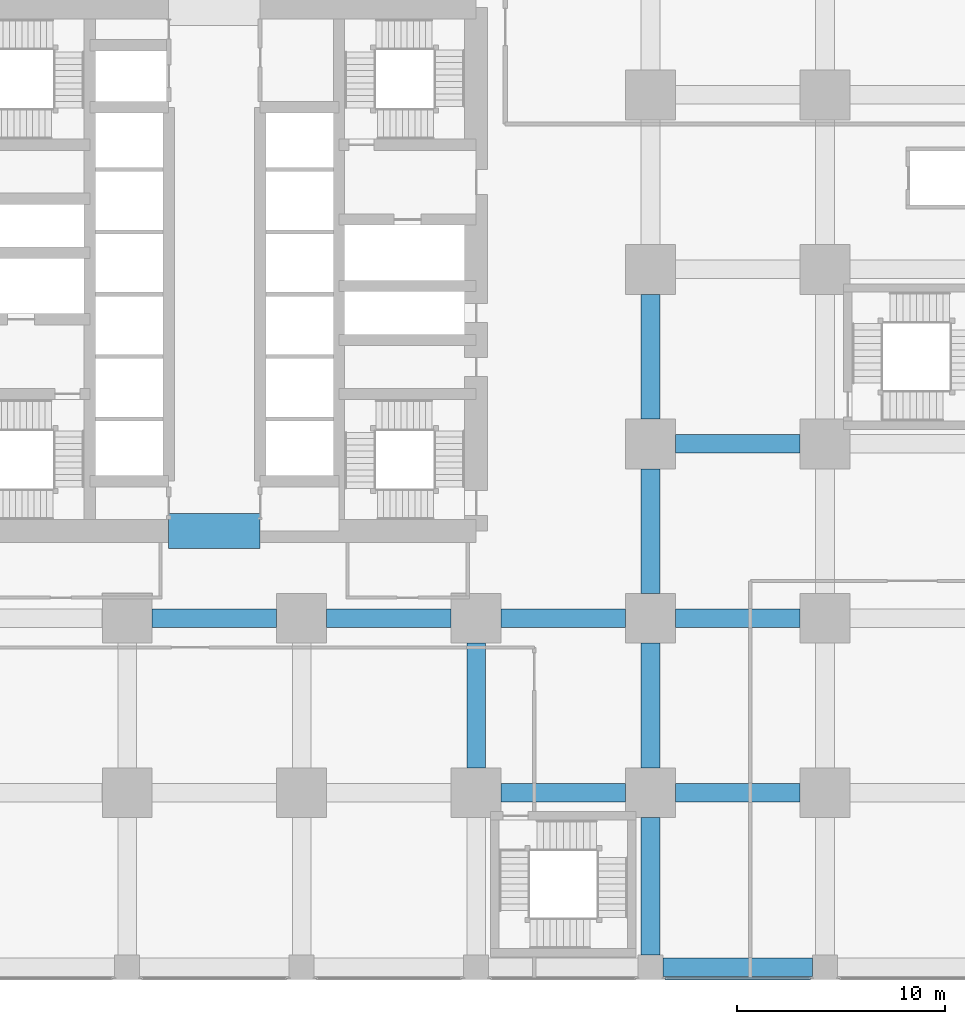
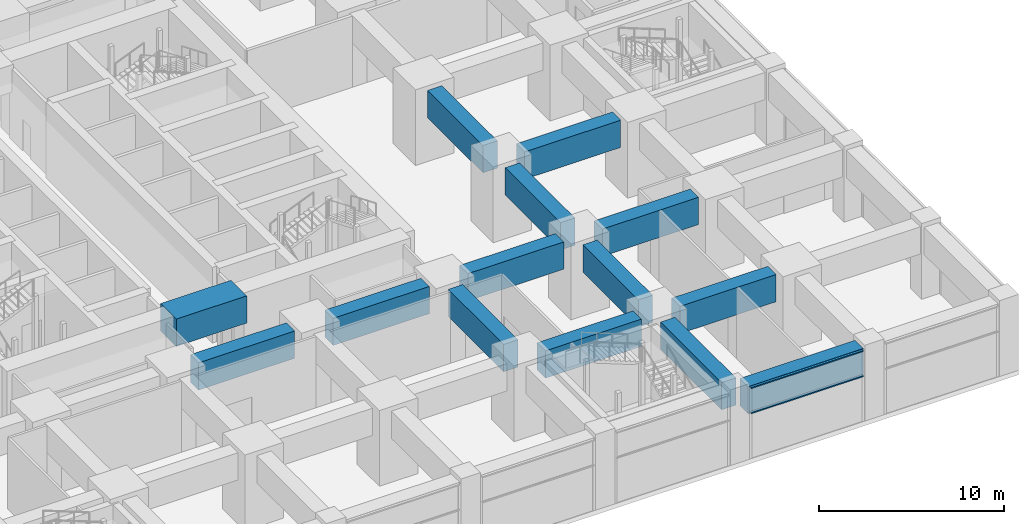
# One storey, part 16 of 48: 14 beams, 2 members, 1 element without a shape of its own.
"""IFC4 building model written with IfcOpenShell, lengths in metres."""

from ifc_helpers import new_model, si_unit, direction, frame, origin, origin_2d, place, context, subcontext, project, spatial, rectangle, hollow_rectangle, extrude, material, material_profile, profile_set, type_object, element, aggregate, save


model = new_model("IFC4")

# Units and contexts
model_context = context("Model", 3, precision=1e-05, world=origin(), true_north=direction((0.0, 1.0)))
body_context = subcontext(model_context, "Body", "Model", "MODEL_VIEW")
ifc_project = project(units=[si_unit("LENGTHUNIT", "METRE"), si_unit("AREAUNIT", "SQUARE_METRE"), si_unit("VOLUMEUNIT", "CUBIC_METRE"), si_unit("PLANEANGLEUNIT", "RADIAN"), si_unit("MASSUNIT", "GRAM", prefix="KILO")], contexts=[model_context])

# Site, building, storey
site_placement = place(None, origin())
site = spatial("IfcSite", under=ifc_project, at=site_placement, CompositionType="ELEMENT")
building_placement = place(site_placement, origin())
building = spatial("IfcBuilding", under=site, at=building_placement, Name="Rekha Terrace Tower", CompositionType="ELEMENT")
storey_placement = place(building_placement, frame((0.0, 0.0, 15.39990234375)))
storey = spatial("IfcBuildingStorey", under=building, at=storey_placement, Name="L03", CompositionType="ELEMENT", Elevation=15.39990234375)

# Curtain wall, members
ifc_material_1 = material(Name="Aluminium framing", Category="aluminium")
curtain_wall_type = type_object("IfcCurtainWallType", Name="CW4 podium shopfront glazing", PredefinedType="USERDEFINED", material=ifc_material_1)
curtain_wall_placement = place(storey_placement, origin())
curtain_wall = element("IfcCurtainWall", 1, at=curtain_wall_placement, inside=storey, type_object=curtain_wall_type, Name="CW4 shopfront curtain wall", ObjectType="SHOPFRONT CURTAIN WALL", PredefinedType="USERDEFINED")
ifc_material_2 = material(Name="Aluminium transom section", Category="aluminium")
ifc_material_profile_1 = material_profile(ifc_material_2, hollow_rectangle(XDim=0.14990234375, YDim=0.074951171875, WallThickness=0.0029296875, at=origin_2d()), Name="AL RHS 150x75")
ifc_profile_set_1 = profile_set([ifc_material_profile_1], Name="Aluminium transom section")
member_type = type_object("IfcMemberType", Name="CW4 transom RHS 75 x 150", PredefinedType="USERDEFINED", material=ifc_profile_set_1)
member_1_placement = place(storey_placement, frame((59.4951171875, -0.5400390625, 3.0), z_axis=(1.0, 0.0, 0.0), x_axis=(0.0, 1.0, 0.0)))
member_1 = element("IfcMember", 2, at=member_1_placement, type_object=member_type, Name="CW4 transom 1.2", ObjectType="TRANSOM", PredefinedType="USERDEFINED", context=body_context, shape_type="SweptSolid", body=[
    extrude(hollow_rectangle(XDim=0.14990234375, YDim=0.074951171875, WallThickness=0.0029296875, at=origin_2d()), origin(), (0.0, 0.0, 1.0), 7.009765625),
])
member_2_placement = place(storey_placement, frame((59.4951171875, -0.5400390625, 4.66259765625), z_axis=(1.0, 0.0, 0.0), x_axis=(0.0, 1.0, 0.0)))
member_2 = element("IfcMember", 3, at=member_2_placement, type_object=member_type, Name="CW4 transom 1.3", ObjectType="TRANSOM", PredefinedType="USERDEFINED", context=body_context, shape_type="SweptSolid", body=[
    extrude(hollow_rectangle(XDim=0.14990234375, YDim=0.074951171875, WallThickness=0.0029296875, at=origin_2d()), origin(), (0.0, 0.0, 1.0), 7.009765625),
])
aggregate(curtain_wall, [member_1, member_2])

# Beams
ifc_material_3 = material(Name="Concrete M60", Category="concrete")
ifc_material_profile_2 = material_profile(ifc_material_3, rectangle(XDim=0.89990234375, YDim=1.800048828125, at=origin_2d()), Name="RC 900x1800")
ifc_profile_set_2 = profile_set([ifc_material_profile_2], Name="Concrete M60")
beam_type_1 = type_object("IfcBeamType", Name="G1 900x1800 podium floor beam", PredefinedType="BEAM", material=ifc_profile_set_2)
for number, where, z_axis, x_axis, name in (
    (4, (34.800048828125, 16.800048828125, 3.800048828125), (1.0, 0.0, 0.0), (0.0, 1.0, 0.0), "Beam G1 5C-6C under L04"),
    (5, (43.199951171875, 16.800048828125, 3.800048828125), (1.0, 0.0, 0.0), (0.0, 1.0, 0.0), "Beam G1 6C-7C under L04"),
    (6, (51.60009765625, 8.39990234375, 3.800048828125), (1.0, 0.0, 0.0), (0.0, 1.0, 0.0), "Beam G1 7B-8B under L04"),
    (7, (50.39990234375, 9.60009765625, 3.800048828125), (0.0, 1.0, 0.0), (-1.0, 0.0, 0.0), "Beam G1 7B-7C under L04"),
    (8, (51.60009765625, 16.800048828125, 3.800048828125), (1.0, 0.0, 0.0), (0.0, 1.0, 0.0), "Beam G1 7C-8C under L04"),
):
    element("IfcBeam", number, at=place(storey_placement, frame(where, z_axis=z_axis, x_axis=x_axis)), inside=storey, type_object=beam_type_1, Name=name, PredefinedType="BEAM", context=body_context, shape_type="SweptSolid", body=[
        extrude(rectangle(XDim=0.89990234375, YDim=1.800048828125, at=origin_2d()), origin(), (0.0, 0.0, 1.0), 6.0),
    ])
beam_1_placement = place(storey_placement, frame((59.39990234375, 0.0, 3.800048828125), z_axis=(1.0, 0.0, 0.0), x_axis=(0.0, 1.0, 0.0)))
element("IfcBeam", 9, at=beam_1_placement, inside=storey, type_object=beam_type_1, Name="Beam G1 8A-9A under L04", PredefinedType="BEAM", context=body_context, shape_type="SweptSolid", body=[
    extrude(rectangle(XDim=0.89990234375, YDim=1.800048828125, at=origin_2d()), origin(), (0.0, 0.0, 1.0), 7.2001953125),
])
beam_2_placement = place(storey_placement, frame((58.800048828125, 0.60009765625, 3.800048828125), z_axis=(0.0, 1.0, 0.0), x_axis=(-1.0, 0.0, 0.0)))
element("IfcBeam", 10, at=beam_2_placement, inside=storey, type_object=beam_type_1, Name="Beam G1 8A-8B under L04", PredefinedType="BEAM", context=body_context, shape_type="SweptSolid", body=[
    extrude(rectangle(XDim=0.89990234375, YDim=1.800048828125, at=origin_2d()), origin(), (0.0, 0.0, 1.0), 6.599853515625),
])
for number, where, z_axis, x_axis, name in (
    (11, (60.0, 8.39990234375, 3.800048828125), (1.0, 0.0, 0.0), (0.0, 1.0, 0.0), "Beam G1 8B-9B under L04"),
    (12, (58.800048828125, 9.60009765625, 3.800048828125), (0.0, 1.0, 0.0), (-1.0, 0.0, 0.0), "Beam G1 8B-8C under L04"),
    (13, (60.0, 16.800048828125, 3.800048828125), (1.0, 0.0, 0.0), (0.0, 1.0, 0.0), "Beam G1 8C-9C under L04"),
    (14, (58.800048828125, 18.0, 3.800048828125), (0.0, 1.0, 0.0), (-1.0, 0.0, 0.0), "Beam G1 8C-8D under L04"),
    (15, (60.0, 25.199951171875, 3.800048828125), (1.0, 0.0, 0.0), (0.0, 1.0, 0.0), "Beam G1 8D-9D under L04"),
    (16, (58.800048828125, 26.39990234375, 3.800048828125), (0.0, 1.0, 0.0), (-1.0, 0.0, 0.0), "Beam G1 8D-8E under L04"),
):
    element("IfcBeam", number, at=place(storey_placement, frame(where, z_axis=z_axis, x_axis=x_axis)), inside=storey, type_object=beam_type_1, Name=name, PredefinedType="BEAM", context=body_context, shape_type="SweptSolid", body=[
        extrude(rectangle(XDim=0.89990234375, YDim=1.800048828125, at=origin_2d()), origin(), (0.0, 0.0, 1.0), 6.0),
    ])
ifc_material_4 = material(Name="Concrete M70", Category="concrete")
ifc_material_profile_3 = material_profile(ifc_material_4, rectangle(XDim=1.699951171875, YDim=1.800048828125, at=origin_2d()), Name="RC 1700x1800")
ifc_profile_set_3 = profile_set([ifc_material_profile_3], Name="Concrete M70")
beam_type_2 = type_object("IfcBeamType", Name="LB1B 1700x1800 diagonally reinforced coupling beam", PredefinedType="LINTEL", material=ifc_profile_set_3)
beam_3_placement = place(storey_placement, frame((35.60009765625, 21.0, 4.10009765625), z_axis=(1.0, 0.0, 0.0), x_axis=(0.0, 1.0, 0.0)))
element("IfcBeam", 17, at=beam_3_placement, inside=storey, type_object=beam_type_2, Name="Coupling beam LB1B S L03", PredefinedType="LINTEL", context=body_context, shape_type="SweptSolid", body=[
    extrude(rectangle(XDim=1.699951171875, YDim=1.800048828125, at=origin_2d()), origin(), (0.0, 0.0, 1.0), 4.39990234375),
])

save(model, "model.ifc")
